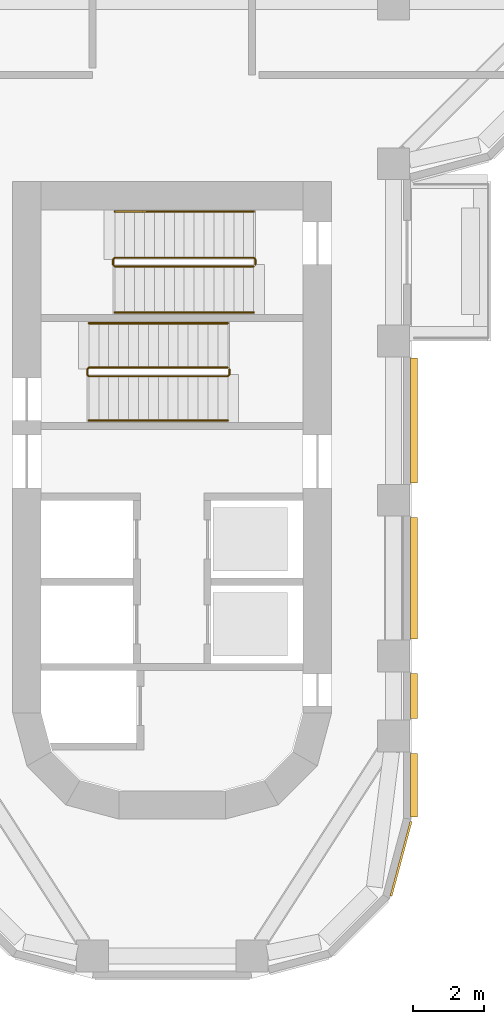
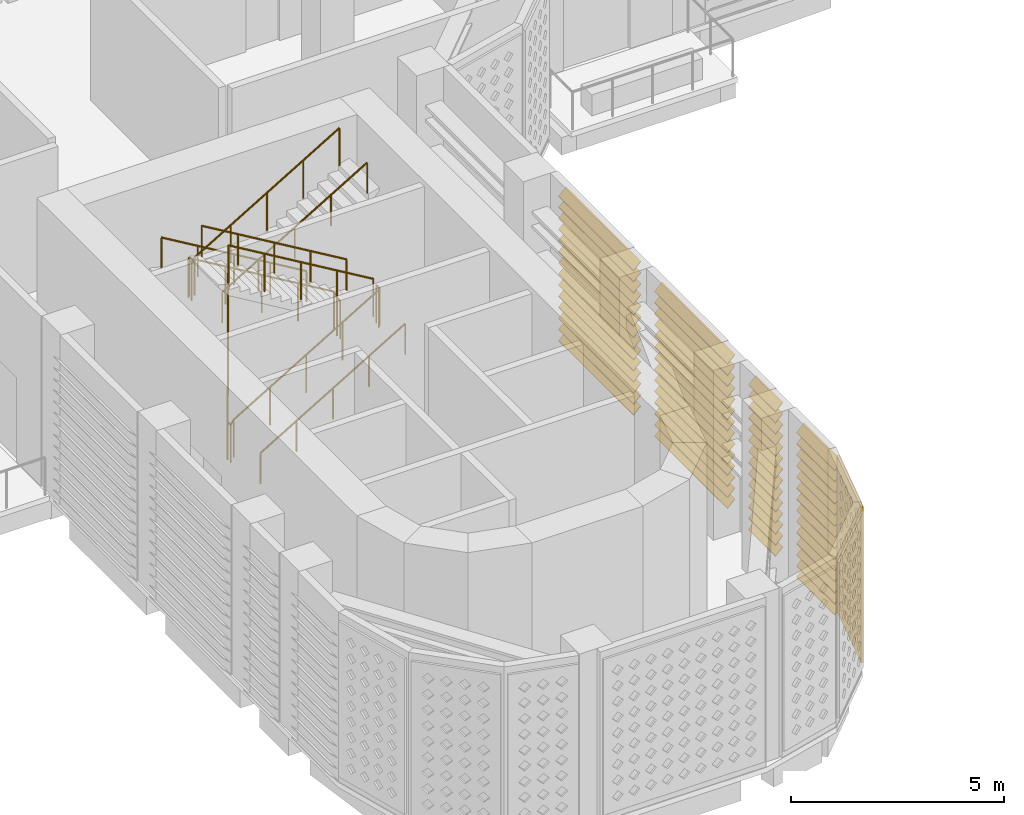
# One storey, part 12 of 20: 6 railings, 4 shading devices, 1 covering.
"""IFC4 building model written with IfcOpenShell, lengths in metres."""

from ifc_helpers import new_model, si_unit, direction, frame, origin, origin_2d, place, context, subcontext, project, spatial, polyline, circle, outline, extrude, source, transform, mapped, material, layer, layer_set, type_object, element, save


model = new_model("IFC4")

# Units and contexts
model_context = context("Model", 3, precision=1e-05, world=origin(), true_north=direction((0.0, 1.0)))
body_context = subcontext(model_context, "Body", "Model", "MODEL_VIEW")
ifc_project = project(units=[si_unit("LENGTHUNIT", "METRE"), si_unit("AREAUNIT", "SQUARE_METRE"), si_unit("VOLUMEUNIT", "CUBIC_METRE"), si_unit("PLANEANGLEUNIT", "RADIAN"), si_unit("MASSUNIT", "GRAM", prefix="KILO")], contexts=[model_context])

# Site, building, storey
site_placement = place(None, origin())
site = spatial("IfcSite", under=ifc_project, at=site_placement, CompositionType="ELEMENT")
building_placement = place(site_placement, origin())
building = spatial("IfcBuilding", under=site, at=building_placement, Name="Zarbagh Exchange Tower", CompositionType="ELEMENT")
storey_placement = place(building_placement, frame((0.0, 0.0, 136.0)))
storey = spatial("IfcBuildingStorey", under=building, at=storey_placement, Name="L32", CompositionType="ELEMENT", Elevation=136.0)

# Railings
ifc_material_1 = material(Name="Stainless steel", Category="steel")
railing_type_1 = type_object("IfcRailingType", Name="Stair guard 1100 mm", PredefinedType="GUARDRAIL", material=ifc_material_1)
railing_1_placement = place(storey_placement, frame((1.570068359375, -16.5, 2.666748046875)))
element("IfcRailing", 1, at=railing_1_placement, inside=storey, type_object=railing_type_1, Name="ST3 stair guard 1", PredefinedType="GUARDRAIL", context=body_context, shape_type="SweptSolid", body=[
    extrude(circle(Radius=0.02392578125, at=origin_2d()), frame((0.0, 0.0, 1.076171875), z_axis=(-0.859310244771, 0.0, 0.511454693235), x_axis=(0.0, -1.0, 0.0)), (0.0, 0.0, 1.0), 4.56201171875),
    extrude(circle(Radius=0.02392578125, at=origin_2d()), frame((-3.920166015625, 0.0, 3.4091796875), z_axis=(-0.009959944465, -0.010008767722, -0.999900307068), x_axis=(1.0, 0.0, 0.0)), (0.0, 0.0, 1.0), 5.00048828125),
    extrude(circle(Radius=0.02392578125, at=origin_2d()), frame((-3.969970703125, -0.050048828125, -1.5908203125), z_axis=(0.0, -1.0, 0.0), x_axis=(1.0, 0.0, 0.0)), (0.0, 0.0, 1.0), 0.14990234375),
    extrude(circle(Radius=0.02392578125, at=origin_2d()), frame((-3.969970703125, -0.199951171875, -1.5908203125), z_axis=(0.275041040955, -0.276389281352, 0.920848191041), x_axis=(0.708833529934, 0.705375805398, 0.0)), (0.0, 0.0, 1.0), 0.18115234375),
    extrude(circle(Radius=0.02392578125, at=origin_2d()), frame((-3.920166015625, -0.25, -1.423828125), z_axis=(0.859310244771, 0.0, 0.511454693235), x_axis=(0.0, 1.0, 0.0)), (0.0, 0.0, 1.0), 4.56201171875),
    extrude(circle(Radius=0.02392578125, at=origin_2d()), frame((0.0, -0.25, 0.9091796875), z_axis=(0.707106781187, 0.707106781187, 0.0), x_axis=(-0.707106781187, 0.707106781187, 0.0)), (0.0, 0.0, 1.0), 0.07080078125),
    extrude(circle(Radius=0.02392578125, at=origin_2d()), frame((0.050048828125, -0.199951171875, 0.9091796875), z_axis=(0.0, 1.0, 0.0), x_axis=(-1.0, 0.0, 0.0)), (0.0, 0.0, 1.0), 0.14990234375),
    extrude(circle(Radius=0.02099609375, at=origin_2d()), origin(), (0.0, 0.0, 1.0), 1.052001953125),
    extrude(circle(Radius=0.02099609375, at=origin_2d()), frame((-0.97998046875, 0.0, 0.583251953125)), (0.0, 0.0, 1.0), 1.052001953125),
    extrude(circle(Radius=0.02099609375, at=origin_2d()), frame((-1.9599609375, 0.0, 1.16650390625)), (0.0, 0.0, 1.0), 1.052001953125),
    extrude(circle(Radius=0.02099609375, at=origin_2d()), frame((-2.940185546875, 0.0, 1.75)), (0.0, 0.0, 1.0), 1.052001953125),
    extrude(circle(Radius=0.02099609375, at=origin_2d()), frame((-3.920166015625, 0.0, 2.333251953125)), (0.0, 0.0, 1.0), 1.052001953125),
    extrude(circle(Radius=0.02099609375, at=origin_2d()), frame((-3.93017578125, -0.010009765625, 1.333251953125)), (0.0, 0.0, 1.0), 1.052001953125),
    extrude(circle(Radius=0.02099609375, at=origin_2d()), frame((-3.940185546875, -0.02001953125, 0.333251953125)), (0.0, 0.0, 1.0), 1.052001953125),
    extrude(circle(Radius=0.02099609375, at=origin_2d()), frame((-3.949951171875, -0.030029296875, -0.666748046875)), (0.0, 0.0, 1.0), 1.052001953125),
    extrude(circle(Radius=0.02099609375, at=origin_2d()), frame((-3.9599609375, -0.0400390625, -1.666748046875)), (0.0, 0.0, 1.0), 1.052001953125),
    extrude(circle(Radius=0.02099609375, at=origin_2d()), frame((-3.969970703125, -0.050048828125, -2.666748046875)), (0.0, 0.0, 1.0), 1.052001953125),
    extrude(circle(Radius=0.02099609375, at=origin_2d()), frame((-3.969970703125, -0.199951171875, -2.666748046875)), (0.0, 0.0, 1.0), 1.052001953125),
    extrude(circle(Radius=0.02099609375, at=origin_2d()), frame((-3.920166015625, -0.25, -2.5)), (0.0, 0.0, 1.0), 1.052001953125),
    extrude(circle(Radius=0.02099609375, at=origin_2d()), frame((-2.940185546875, -0.25, -1.916748046875)), (0.0, 0.0, 1.0), 1.052001953125),
    extrude(circle(Radius=0.02099609375, at=origin_2d()), frame((-1.9599609375, -0.25, -1.33349609375)), (0.0, 0.0, 1.0), 1.052001953125),
    extrude(circle(Radius=0.02099609375, at=origin_2d()), frame((-0.97998046875, -0.25, -0.75)), (0.0, 0.0, 1.0), 1.052001953125),
    extrude(circle(Radius=0.02099609375, at=origin_2d()), frame((0.0, -0.25, -0.166748046875)), (0.0, 0.0, 1.0), 1.052001953125),
    extrude(circle(Radius=0.02099609375, at=origin_2d()), frame((0.050048828125, -0.199951171875, -0.166748046875)), (0.0, 0.0, 1.0), 1.052001953125),
    extrude(circle(Radius=0.02099609375, at=origin_2d()), frame((0.050048828125, -0.050048828125, -0.166748046875)), (0.0, 0.0, 1.0), 1.052001953125),
])
railing_2_placement = place(storey_placement, frame((2.35009765625, -13.60009765625, 0.0)))
element("IfcRailing", 2, at=railing_2_placement, inside=storey, type_object=railing_type_1, Name="ST4 stair guard 1", PredefinedType="GUARDRAIL", context=body_context, shape_type="SweptSolid", body=[
    extrude(circle(Radius=0.02392578125, at=origin_2d()), frame((0.0, 0.0, 1.076171875), z_axis=(0.0, 1.0, 0.0), x_axis=(-1.0, 0.0, 0.0)), (0.0, 0.0, 1.0), 0.150146484375),
    extrude(circle(Radius=0.02392578125, at=origin_2d()), frame((0.0, 0.150146484375, 1.076171875), z_axis=(-0.27628659633, 0.27628659633, 0.920506074601), x_axis=(-0.707106781187, -0.707106781187, 0.0)), (0.0, 0.0, 1.0), 0.18115234375),
    extrude(circle(Radius=0.02392578125, at=origin_2d()), frame((-0.050048828125, 0.2001953125, 1.24267578125), z_axis=(-0.859310244771, 0.0, 0.511454693235), x_axis=(0.0, -1.0, 0.0)), (0.0, 0.0, 1.0), 4.56201171875),
    extrude(circle(Radius=0.02392578125, at=origin_2d()), frame((-3.97021484375, 0.2001953125, 3.576171875), z_axis=(-0.705375805398, -0.708833529934, 0.0), x_axis=(0.708833529934, -0.705375805398, 0.0)), (0.0, 0.0, 1.0), 0.070556640625),
    extrude(circle(Radius=0.02392578125, at=origin_2d()), frame((-4.02001953125, 0.150146484375, 3.576171875), z_axis=(0.0, -1.0, 0.0), x_axis=(1.0, 0.0, 0.0)), (0.0, 0.0, 1.0), 0.150146484375),
    extrude(circle(Radius=0.02392578125, at=origin_2d()), frame((-4.02001953125, 0.0, 3.576171875), z_axis=(0.275143339093, -0.275143339093, 0.92119068922), x_axis=(0.707106781187, 0.707106781187, 0.0)), (0.0, 0.0, 1.0), 0.180908203125),
    extrude(circle(Radius=0.02392578125, at=origin_2d()), frame((-3.97021484375, -0.0498046875, 3.74267578125), z_axis=(0.859310244771, 0.0, 0.511454693235), x_axis=(0.0, 1.0, 0.0)), (0.0, 0.0, 1.0), 4.56201171875),
    extrude(circle(Radius=0.02099609375, at=origin_2d()), origin(), (0.0, 0.0, 1.0), 1.052001953125),
    extrude(circle(Radius=0.02099609375, at=origin_2d()), frame((0.0, 0.150146484375, 0.0)), (0.0, 0.0, 1.0), 1.052001953125),
    extrude(circle(Radius=0.02099609375, at=origin_2d()), frame((-0.050048828125, 0.2001953125, 0.166748046875)), (0.0, 0.0, 1.0), 1.052001953125),
    extrude(circle(Radius=0.02099609375, at=origin_2d()), frame((-1.030029296875, 0.2001953125, 0.75)), (0.0, 0.0, 1.0), 1.052001953125),
    extrude(circle(Radius=0.02099609375, at=origin_2d()), frame((-2.01025390625, 0.2001953125, 1.33349609375)), (0.0, 0.0, 1.0), 1.052001953125),
    extrude(circle(Radius=0.02099609375, at=origin_2d()), frame((-2.990234375, 0.2001953125, 1.916748046875)), (0.0, 0.0, 1.0), 1.052001953125),
    extrude(circle(Radius=0.02099609375, at=origin_2d()), frame((-3.97021484375, 0.2001953125, 2.5)), (0.0, 0.0, 1.0), 1.052001953125),
    extrude(circle(Radius=0.02099609375, at=origin_2d()), frame((-4.02001953125, 0.150146484375, 2.5)), (0.0, 0.0, 1.0), 1.052001953125),
    extrude(circle(Radius=0.02099609375, at=origin_2d()), frame((-4.02001953125, 0.0, 2.5)), (0.0, 0.0, 1.0), 1.052001953125),
    extrude(circle(Radius=0.02099609375, at=origin_2d()), frame((-3.97021484375, -0.0498046875, 2.666748046875)), (0.0, 0.0, 1.0), 1.052001953125),
    extrude(circle(Radius=0.02099609375, at=origin_2d()), frame((-2.990234375, -0.0498046875, 3.25)), (0.0, 0.0, 1.0), 1.052001953125),
    extrude(circle(Radius=0.02099609375, at=origin_2d()), frame((-2.01025390625, -0.0498046875, 3.83349609375)), (0.0, 0.0, 1.0), 1.052001953125),
    extrude(circle(Radius=0.02099609375, at=origin_2d()), frame((-1.030029296875, -0.0498046875, 4.416748046875)), (0.0, 0.0, 1.0), 1.052001953125),
    extrude(circle(Radius=0.02099609375, at=origin_2d()), frame((-0.050048828125, -0.0498046875, 5.0)), (0.0, 0.0, 1.0), 1.052001953125),
])
railing_type_2 = type_object("IfcRailingType", Name="Stair handrail 900 mm", PredefinedType="HANDRAIL", material=ifc_material_1)
railing_3_placement = place(storey_placement, frame((-2.35009765625, -18.0, 0.166748046875)))
element("IfcRailing", 3, at=railing_3_placement, inside=storey, type_object=railing_type_2, Name="ST3 stair handrail 1", PredefinedType="HANDRAIL", context=body_context, shape_type="SweptSolid", body=[
    extrude(circle(Radius=0.02392578125, at=origin_2d()), frame((0.0, 0.0, 0.8759765625), z_axis=(0.859310244771, 0.0, 0.511454693235), x_axis=(0.0, 1.0, 0.0)), (0.0, 0.0, 1.0), 4.56201171875),
    extrude(circle(Radius=0.02099609375, at=origin_2d()), origin(), (0.0, 0.0, 1.0), 0.851806640625),
    extrude(circle(Radius=0.02099609375, at=origin_2d()), frame((0.97998046875, 0.0, 0.583251953125)), (0.0, 0.0, 1.0), 0.851806640625),
    extrude(circle(Radius=0.02099609375, at=origin_2d()), frame((1.9599609375, 0.0, 1.16650390625)), (0.0, 0.0, 1.0), 0.851806640625),
    extrude(circle(Radius=0.02099609375, at=origin_2d()), frame((2.940185546875, 0.0, 1.75)), (0.0, 0.0, 1.0), 0.851806640625),
    extrude(circle(Radius=0.02099609375, at=origin_2d()), frame((3.920166015625, 0.0, 2.333251953125)), (0.0, 0.0, 1.0), 0.851806640625),
])
for number, where, name in (
    (4, (1.570068359375, -15.25, 2.666748046875), "ST3 stair handrail 2"),
    (5, (2.300048828125, -12.10009765625, 0.166748046875), "ST4 stair handrail 1"),
):
    element("IfcRailing", number, at=place(storey_placement, frame(where)), inside=storey, type_object=railing_type_2, Name=name, PredefinedType="HANDRAIL", context=body_context, shape_type="SweptSolid", body=[
        extrude(circle(Radius=0.02392578125, at=origin_2d()), frame((0.0, 0.0, 0.8759765625), z_axis=(-0.859310244771, 0.0, 0.511454693235), x_axis=(0.0, -1.0, 0.0)), (0.0, 0.0, 1.0), 4.56201171875),
        extrude(circle(Radius=0.02099609375, at=origin_2d()), origin(), (0.0, 0.0, 1.0), 0.851806640625),
        extrude(circle(Radius=0.02099609375, at=origin_2d()), frame((-0.97998046875, 0.0, 0.583251953125)), (0.0, 0.0, 1.0), 0.851806640625),
        extrude(circle(Radius=0.02099609375, at=origin_2d()), frame((-1.9599609375, 0.0, 1.16650390625)), (0.0, 0.0, 1.0), 0.851806640625),
        extrude(circle(Radius=0.02099609375, at=origin_2d()), frame((-2.940185546875, 0.0, 1.75)), (0.0, 0.0, 1.0), 0.851806640625),
        extrude(circle(Radius=0.02099609375, at=origin_2d()), frame((-3.920166015625, 0.0, 2.333251953125)), (0.0, 0.0, 1.0), 0.851806640625),
    ])
railing_4_placement = place(storey_placement, frame((-1.6201171875, -14.949951171875, 2.666748046875)))
element("IfcRailing", 6, at=railing_4_placement, inside=storey, type_object=railing_type_2, Name="ST4 stair handrail 2", PredefinedType="HANDRAIL", context=body_context, shape_type="SweptSolid", body=[
    extrude(circle(Radius=0.02392578125, at=origin_2d()), frame((0.0, 0.0, 0.8759765625), z_axis=(0.859310244771, 0.0, 0.511454693235), x_axis=(0.0, 1.0, 0.0)), (0.0, 0.0, 1.0), 4.56201171875),
    extrude(circle(Radius=0.02099609375, at=origin_2d()), origin(), (0.0, 0.0, 1.0), 0.851806640625),
    extrude(circle(Radius=0.02099609375, at=origin_2d()), frame((0.97998046875, 0.0, 0.583251953125)), (0.0, 0.0, 1.0), 0.851806640625),
    extrude(circle(Radius=0.02099609375, at=origin_2d()), frame((1.9599609375, 0.0, 1.16650390625)), (0.0, 0.0, 1.0), 0.851806640625),
    extrude(circle(Radius=0.02099609375, at=origin_2d()), frame((2.940185546875, 0.0, 1.75)), (0.0, 0.0, 1.0), 0.851806640625),
    extrude(circle(Radius=0.02099609375, at=origin_2d()), frame((3.920166015625, 0.0, 2.333251953125)), (0.0, 0.0, 1.0), 0.851806640625),
])

# Covering
ifc_material_2 = material(Name="Glass-fibre reinforced concrete GFRC C50/60", Category="concrete")
ifc_layer = layer(ifc_material_2, 0.06005859375)
ifc_layer_set = layer_set([ifc_layer], Name="SCREEN jali panel, GFRC")
covering_type = type_object("IfcCoveringType", Name="SCREEN jali panel, GFRC", PredefinedType="CLADDING", material=ifc_layer_set)
shared_shape_1 = source(origin(), body_context, "Body", "SweptSolid", [
    extrude(outline(polyline([(0.0, 0.0), (2.181396484375, 0.0), (2.181396484375, 4.449951171875), (0.0, 4.449951171875), (0.0, 0.0)]), holes=[polyline([(0.265625, 0.425048828125), (0.415771484375, 0.27490234375), (0.565673828125, 0.425048828125), (0.415771484375, 0.574951171875), (0.265625, 0.425048828125)]), polyline([(0.265625, 0.875), (0.415771484375, 0.72509765625), (0.565673828125, 0.875), (0.415771484375, 1.02490234375), (0.265625, 0.875)]), polyline([(0.265625, 1.324951171875), (0.415771484375, 1.175048828125), (0.565673828125, 1.324951171875), (0.415771484375, 1.47509765625), (0.265625, 1.324951171875)]), polyline([(0.265625, 1.77490234375), (0.415771484375, 1.625), (0.565673828125, 1.77490234375), (0.415771484375, 1.925048828125), (0.265625, 1.77490234375)]), polyline([(0.265625, 2.22509765625), (0.415771484375, 2.074951171875), (0.565673828125, 2.22509765625), (0.415771484375, 2.375), (0.265625, 2.22509765625)]), polyline([(0.265625, 2.675048828125), (0.415771484375, 2.52490234375), (0.565673828125, 2.675048828125), (0.415771484375, 2.824951171875), (0.265625, 2.675048828125)]), polyline([(0.265625, 3.125), (0.415771484375, 2.97509765625), (0.565673828125, 3.125), (0.415771484375, 3.27490234375), (0.265625, 3.125)]), polyline([(0.265625, 3.574951171875), (0.415771484375, 3.425048828125), (0.565673828125, 3.574951171875), (0.415771484375, 3.72509765625), (0.265625, 3.574951171875)]), polyline([(0.265625, 4.02490234375), (0.415771484375, 3.875), (0.565673828125, 4.02490234375), (0.415771484375, 4.175048828125), (0.265625, 4.02490234375)]), polyline([(0.7158203125, 0.425048828125), (0.86572265625, 0.27490234375), (1.015625, 0.425048828125), (0.86572265625, 0.574951171875), (0.7158203125, 0.425048828125)]), polyline([(0.7158203125, 0.875), (0.86572265625, 0.72509765625), (1.015625, 0.875), (0.86572265625, 1.02490234375), (0.7158203125, 0.875)]), polyline([(0.7158203125, 1.324951171875), (0.86572265625, 1.175048828125), (1.015625, 1.324951171875), (0.86572265625, 1.47509765625), (0.7158203125, 1.324951171875)]), polyline([(0.7158203125, 1.77490234375), (0.86572265625, 1.625), (1.015625, 1.77490234375), (0.86572265625, 1.925048828125), (0.7158203125, 1.77490234375)]), polyline([(0.7158203125, 2.22509765625), (0.86572265625, 2.074951171875), (1.015625, 2.22509765625), (0.86572265625, 2.375), (0.7158203125, 2.22509765625)]), polyline([(0.7158203125, 2.675048828125), (0.86572265625, 2.52490234375), (1.015625, 2.675048828125), (0.86572265625, 2.824951171875), (0.7158203125, 2.675048828125)]), polyline([(0.7158203125, 3.125), (0.86572265625, 2.97509765625), (1.015625, 3.125), (0.86572265625, 3.27490234375), (0.7158203125, 3.125)]), polyline([(0.7158203125, 3.574951171875), (0.86572265625, 3.425048828125), (1.015625, 3.574951171875), (0.86572265625, 3.72509765625), (0.7158203125, 3.574951171875)]), polyline([(0.7158203125, 4.02490234375), (0.86572265625, 3.875), (1.015625, 4.02490234375), (0.86572265625, 4.175048828125), (0.7158203125, 4.02490234375)]), polyline([(1.165771484375, 0.425048828125), (1.315673828125, 0.27490234375), (1.4658203125, 0.425048828125), (1.315673828125, 0.574951171875), (1.165771484375, 0.425048828125)]), polyline([(1.165771484375, 0.875), (1.315673828125, 0.72509765625), (1.4658203125, 0.875), (1.315673828125, 1.02490234375), (1.165771484375, 0.875)]), polyline([(1.165771484375, 1.324951171875), (1.315673828125, 1.175048828125), (1.4658203125, 1.324951171875), (1.315673828125, 1.47509765625), (1.165771484375, 1.324951171875)]), polyline([(1.165771484375, 1.77490234375), (1.315673828125, 1.625), (1.4658203125, 1.77490234375), (1.315673828125, 1.925048828125), (1.165771484375, 1.77490234375)]), polyline([(1.165771484375, 2.22509765625), (1.315673828125, 2.074951171875), (1.4658203125, 2.22509765625), (1.315673828125, 2.375), (1.165771484375, 2.22509765625)]), polyline([(1.165771484375, 2.675048828125), (1.315673828125, 2.52490234375), (1.4658203125, 2.675048828125), (1.315673828125, 2.824951171875), (1.165771484375, 2.675048828125)]), polyline([(1.165771484375, 3.125), (1.315673828125, 2.97509765625), (1.4658203125, 3.125), (1.315673828125, 3.27490234375), (1.165771484375, 3.125)]), polyline([(1.165771484375, 3.574951171875), (1.315673828125, 3.425048828125), (1.4658203125, 3.574951171875), (1.315673828125, 3.72509765625), (1.165771484375, 3.574951171875)]), polyline([(1.165771484375, 4.02490234375), (1.315673828125, 3.875), (1.4658203125, 4.02490234375), (1.315673828125, 4.175048828125), (1.165771484375, 4.02490234375)]), polyline([(1.61572265625, 0.425048828125), (1.765625, 0.27490234375), (1.915771484375, 0.425048828125), (1.765625, 0.574951171875), (1.61572265625, 0.425048828125)]), polyline([(1.61572265625, 0.875), (1.765625, 0.72509765625), (1.915771484375, 0.875), (1.765625, 1.02490234375), (1.61572265625, 0.875)]), polyline([(1.61572265625, 1.324951171875), (1.765625, 1.175048828125), (1.915771484375, 1.324951171875), (1.765625, 1.47509765625), (1.61572265625, 1.324951171875)]), polyline([(1.61572265625, 1.77490234375), (1.765625, 1.625), (1.915771484375, 1.77490234375), (1.765625, 1.925048828125), (1.61572265625, 1.77490234375)]), polyline([(1.61572265625, 2.22509765625), (1.765625, 2.074951171875), (1.915771484375, 2.22509765625), (1.765625, 2.375), (1.61572265625, 2.22509765625)]), polyline([(1.61572265625, 2.675048828125), (1.765625, 2.52490234375), (1.915771484375, 2.675048828125), (1.765625, 2.824951171875), (1.61572265625, 2.675048828125)]), polyline([(1.61572265625, 3.125), (1.765625, 2.97509765625), (1.915771484375, 3.125), (1.765625, 3.27490234375), (1.61572265625, 3.125)]), polyline([(1.61572265625, 3.574951171875), (1.765625, 3.425048828125), (1.915771484375, 3.574951171875), (1.765625, 3.72509765625), (1.61572265625, 3.574951171875)]), polyline([(1.61572265625, 4.02490234375), (1.765625, 3.875), (1.915771484375, 4.02490234375), (1.765625, 4.175048828125), (1.61572265625, 4.02490234375)])]), origin(), (0.0, 0.0, 1.0), 0.06005859375),
])
placement = place(storey_placement, origin())
element("IfcCovering", 7, at=placement, inside=storey, type_object=covering_type, Name="JS03 jali screen", PredefinedType="CLADDING", context=body_context, shape_type="MappedRepresentation", body=[
    mapped(shared_shape_1, transform((6.14892578125, -31.41552734375, 0.199951171875), x_axis=(0.258825057666, 0.965924215207, 0.0), y_axis=(0.0, 0.0, 1.0), z_axis=(0.965924215207, -0.258825057666, 0.0))),
])

# Shading devices
ifc_material_3 = material(Name="Anodised aluminium", Category="aluminium")
shading_device_type = type_object("IfcShadingDeviceType", Name="LOUVRE plant louvre, fixed blades", PredefinedType="USERDEFINED", material=ifc_material_3)
shared_shape_2 = source(origin(), body_context, "Body", "SweptSolid", [
    extrude(outline(polyline([(0.0, 0.199951171875), (0.199951171875, 0.0), (0.199951171875, -0.02001953125), (0.0, 0.179931640625), (0.0, 0.199951171875)])), origin(), (0.0, 0.0, 1.0), 3.419921875),
])
element("IfcShadingDevice", 8, at=placement, inside=storey, type_object=shading_device_type, Name="LV01 plant louvre", ObjectType="LOUVRE", PredefinedType="USERDEFINED", context=body_context, shape_type="MappedRepresentation", body=[
    mapped(shared_shape_2, transform((6.72998046875, -24.159912109375, 0.199951171875), x_axis=(1.0, 0.0, 0.0), y_axis=(0.0, 0.0, -1.0), z_axis=(0.0, 1.0, 0.0))),
    mapped(shared_shape_2, transform((6.72998046875, -24.159912109375, 0.517822265625), x_axis=(1.0, 0.0, 0.0), y_axis=(0.0, 0.0, -1.0), z_axis=(0.0, 1.0, 0.0))),
    mapped(shared_shape_2, transform((6.72998046875, -24.159912109375, 0.835693359375), x_axis=(1.0, 0.0, 0.0), y_axis=(0.0, 0.0, -1.0), z_axis=(0.0, 1.0, 0.0))),
    mapped(shared_shape_2, transform((6.72998046875, -24.159912109375, 1.153564453125), x_axis=(1.0, 0.0, 0.0), y_axis=(0.0, 0.0, -1.0), z_axis=(0.0, 1.0, 0.0))),
    mapped(shared_shape_2, transform((6.72998046875, -24.159912109375, 1.471435546875), x_axis=(1.0, 0.0, 0.0), y_axis=(0.0, 0.0, -1.0), z_axis=(0.0, 1.0, 0.0))),
    mapped(shared_shape_2, transform((6.72998046875, -24.159912109375, 1.789306640625), x_axis=(1.0, 0.0, 0.0), y_axis=(0.0, 0.0, -1.0), z_axis=(0.0, 1.0, 0.0))),
    mapped(shared_shape_2, transform((6.72998046875, -24.159912109375, 2.107177734375), x_axis=(1.0, 0.0, 0.0), y_axis=(0.0, 0.0, -1.0), z_axis=(0.0, 1.0, 0.0))),
    mapped(shared_shape_2, transform((6.72998046875, -24.159912109375, 2.425048828125), x_axis=(1.0, 0.0, 0.0), y_axis=(0.0, 0.0, -1.0), z_axis=(0.0, 1.0, 0.0))),
    mapped(shared_shape_2, transform((6.72998046875, -24.159912109375, 2.742919921875), x_axis=(1.0, 0.0, 0.0), y_axis=(0.0, 0.0, -1.0), z_axis=(0.0, 1.0, 0.0))),
    mapped(shared_shape_2, transform((6.72998046875, -24.159912109375, 3.060791015625), x_axis=(1.0, 0.0, 0.0), y_axis=(0.0, 0.0, -1.0), z_axis=(0.0, 1.0, 0.0))),
    mapped(shared_shape_2, transform((6.72998046875, -24.159912109375, 3.378662109375), x_axis=(1.0, 0.0, 0.0), y_axis=(0.0, 0.0, -1.0), z_axis=(0.0, 1.0, 0.0))),
    mapped(shared_shape_2, transform((6.72998046875, -24.159912109375, 3.696533203125), x_axis=(1.0, 0.0, 0.0), y_axis=(0.0, 0.0, -1.0), z_axis=(0.0, 1.0, 0.0))),
    mapped(shared_shape_2, transform((6.72998046875, -24.159912109375, 4.014404296875), x_axis=(1.0, 0.0, 0.0), y_axis=(0.0, 0.0, -1.0), z_axis=(0.0, 1.0, 0.0))),
    mapped(shared_shape_2, transform((6.72998046875, -24.159912109375, 4.33203125), x_axis=(1.0, 0.0, 0.0), y_axis=(0.0, 0.0, -1.0), z_axis=(0.0, 1.0, 0.0))),
])
shared_shape_3 = source(origin(), body_context, "Body", "SweptSolid", [
    extrude(outline(polyline([(0.0, 0.199951171875), (0.199951171875, 0.0), (0.199951171875, -0.02001953125), (0.0, 0.179931640625), (0.0, 0.199951171875)])), origin(), (0.0, 0.0, 1.0), 1.794189453125),
])
element("IfcShadingDevice", 9, at=placement, inside=storey, type_object=shading_device_type, Name="LV01 plant louvre", ObjectType="LOUVRE", PredefinedType="USERDEFINED", context=body_context, shape_type="MappedRepresentation", body=[
    mapped(shared_shape_3, transform((6.72998046875, -29.18408203125, 0.199951171875), x_axis=(1.0, 0.0, 0.0), y_axis=(0.0, 0.0, -1.0), z_axis=(0.0, 1.0, 0.0))),
    mapped(shared_shape_3, transform((6.72998046875, -29.18408203125, 0.517822265625), x_axis=(1.0, 0.0, 0.0), y_axis=(0.0, 0.0, -1.0), z_axis=(0.0, 1.0, 0.0))),
    mapped(shared_shape_3, transform((6.72998046875, -29.18408203125, 0.835693359375), x_axis=(1.0, 0.0, 0.0), y_axis=(0.0, 0.0, -1.0), z_axis=(0.0, 1.0, 0.0))),
    mapped(shared_shape_3, transform((6.72998046875, -29.18408203125, 1.153564453125), x_axis=(1.0, 0.0, 0.0), y_axis=(0.0, 0.0, -1.0), z_axis=(0.0, 1.0, 0.0))),
    mapped(shared_shape_3, transform((6.72998046875, -29.18408203125, 1.471435546875), x_axis=(1.0, 0.0, 0.0), y_axis=(0.0, 0.0, -1.0), z_axis=(0.0, 1.0, 0.0))),
    mapped(shared_shape_3, transform((6.72998046875, -29.18408203125, 1.789306640625), x_axis=(1.0, 0.0, 0.0), y_axis=(0.0, 0.0, -1.0), z_axis=(0.0, 1.0, 0.0))),
    mapped(shared_shape_3, transform((6.72998046875, -29.18408203125, 2.107177734375), x_axis=(1.0, 0.0, 0.0), y_axis=(0.0, 0.0, -1.0), z_axis=(0.0, 1.0, 0.0))),
    mapped(shared_shape_3, transform((6.72998046875, -29.18408203125, 2.425048828125), x_axis=(1.0, 0.0, 0.0), y_axis=(0.0, 0.0, -1.0), z_axis=(0.0, 1.0, 0.0))),
    mapped(shared_shape_3, transform((6.72998046875, -29.18408203125, 2.742919921875), x_axis=(1.0, 0.0, 0.0), y_axis=(0.0, 0.0, -1.0), z_axis=(0.0, 1.0, 0.0))),
    mapped(shared_shape_3, transform((6.72998046875, -29.18408203125, 3.060791015625), x_axis=(1.0, 0.0, 0.0), y_axis=(0.0, 0.0, -1.0), z_axis=(0.0, 1.0, 0.0))),
    mapped(shared_shape_3, transform((6.72998046875, -29.18408203125, 3.378662109375), x_axis=(1.0, 0.0, 0.0), y_axis=(0.0, 0.0, -1.0), z_axis=(0.0, 1.0, 0.0))),
    mapped(shared_shape_3, transform((6.72998046875, -29.18408203125, 3.696533203125), x_axis=(1.0, 0.0, 0.0), y_axis=(0.0, 0.0, -1.0), z_axis=(0.0, 1.0, 0.0))),
    mapped(shared_shape_3, transform((6.72998046875, -29.18408203125, 4.014404296875), x_axis=(1.0, 0.0, 0.0), y_axis=(0.0, 0.0, -1.0), z_axis=(0.0, 1.0, 0.0))),
    mapped(shared_shape_3, transform((6.72998046875, -29.18408203125, 4.33203125), x_axis=(1.0, 0.0, 0.0), y_axis=(0.0, 0.0, -1.0), z_axis=(0.0, 1.0, 0.0))),
])
shared_shape_4 = source(origin(), body_context, "Body", "SweptSolid", [
    extrude(outline(polyline([(0.0, 0.199951171875), (0.199951171875, 0.0), (0.199951171875, -0.02001953125), (0.0, 0.179931640625), (0.0, 0.199951171875)])), origin(), (0.0, 0.0, 1.0), 1.27001953125),
])
element("IfcShadingDevice", 10, at=placement, inside=storey, type_object=shading_device_type, Name="LV01 plant louvre", ObjectType="LOUVRE", PredefinedType="USERDEFINED", context=body_context, shape_type="MappedRepresentation", body=[
    mapped(shared_shape_4, transform((6.72998046875, -26.409912109375, 0.199951171875), x_axis=(1.0, 0.0, 0.0), y_axis=(0.0, 0.0, -1.0), z_axis=(0.0, 1.0, 0.0))),
    mapped(shared_shape_4, transform((6.72998046875, -26.409912109375, 0.517822265625), x_axis=(1.0, 0.0, 0.0), y_axis=(0.0, 0.0, -1.0), z_axis=(0.0, 1.0, 0.0))),
    mapped(shared_shape_4, transform((6.72998046875, -26.409912109375, 0.835693359375), x_axis=(1.0, 0.0, 0.0), y_axis=(0.0, 0.0, -1.0), z_axis=(0.0, 1.0, 0.0))),
    mapped(shared_shape_4, transform((6.72998046875, -26.409912109375, 1.153564453125), x_axis=(1.0, 0.0, 0.0), y_axis=(0.0, 0.0, -1.0), z_axis=(0.0, 1.0, 0.0))),
    mapped(shared_shape_4, transform((6.72998046875, -26.409912109375, 1.471435546875), x_axis=(1.0, 0.0, 0.0), y_axis=(0.0, 0.0, -1.0), z_axis=(0.0, 1.0, 0.0))),
    mapped(shared_shape_4, transform((6.72998046875, -26.409912109375, 1.789306640625), x_axis=(1.0, 0.0, 0.0), y_axis=(0.0, 0.0, -1.0), z_axis=(0.0, 1.0, 0.0))),
    mapped(shared_shape_4, transform((6.72998046875, -26.409912109375, 2.107177734375), x_axis=(1.0, 0.0, 0.0), y_axis=(0.0, 0.0, -1.0), z_axis=(0.0, 1.0, 0.0))),
    mapped(shared_shape_4, transform((6.72998046875, -26.409912109375, 2.425048828125), x_axis=(1.0, 0.0, 0.0), y_axis=(0.0, 0.0, -1.0), z_axis=(0.0, 1.0, 0.0))),
    mapped(shared_shape_4, transform((6.72998046875, -26.409912109375, 2.742919921875), x_axis=(1.0, 0.0, 0.0), y_axis=(0.0, 0.0, -1.0), z_axis=(0.0, 1.0, 0.0))),
    mapped(shared_shape_4, transform((6.72998046875, -26.409912109375, 3.060791015625), x_axis=(1.0, 0.0, 0.0), y_axis=(0.0, 0.0, -1.0), z_axis=(0.0, 1.0, 0.0))),
    mapped(shared_shape_4, transform((6.72998046875, -26.409912109375, 3.378662109375), x_axis=(1.0, 0.0, 0.0), y_axis=(0.0, 0.0, -1.0), z_axis=(0.0, 1.0, 0.0))),
    mapped(shared_shape_4, transform((6.72998046875, -26.409912109375, 3.696533203125), x_axis=(1.0, 0.0, 0.0), y_axis=(0.0, 0.0, -1.0), z_axis=(0.0, 1.0, 0.0))),
    mapped(shared_shape_4, transform((6.72998046875, -26.409912109375, 4.014404296875), x_axis=(1.0, 0.0, 0.0), y_axis=(0.0, 0.0, -1.0), z_axis=(0.0, 1.0, 0.0))),
    mapped(shared_shape_4, transform((6.72998046875, -26.409912109375, 4.33203125), x_axis=(1.0, 0.0, 0.0), y_axis=(0.0, 0.0, -1.0), z_axis=(0.0, 1.0, 0.0))),
])
shared_shape_5 = source(origin(), body_context, "Body", "SweptSolid", [
    extrude(outline(polyline([(0.0, 0.199951171875), (0.199951171875, 0.0), (0.199951171875, -0.02001953125), (0.0, 0.179931640625), (0.0, 0.199951171875)])), origin(), (0.0, 0.0, 1.0), 3.52001953125),
])
element("IfcShadingDevice", 11, at=placement, inside=storey, type_object=shading_device_type, Name="LV01 plant louvre", ObjectType="LOUVRE", PredefinedType="USERDEFINED", context=body_context, shape_type="MappedRepresentation", body=[
    mapped(shared_shape_5, transform((6.72998046875, -19.760009765625, 0.199951171875), x_axis=(1.0, 0.0, 0.0), y_axis=(0.0, 0.0, -1.0), z_axis=(0.0, 1.0, 0.0))),
    mapped(shared_shape_5, transform((6.72998046875, -19.760009765625, 0.517822265625), x_axis=(1.0, 0.0, 0.0), y_axis=(0.0, 0.0, -1.0), z_axis=(0.0, 1.0, 0.0))),
    mapped(shared_shape_5, transform((6.72998046875, -19.760009765625, 0.835693359375), x_axis=(1.0, 0.0, 0.0), y_axis=(0.0, 0.0, -1.0), z_axis=(0.0, 1.0, 0.0))),
    mapped(shared_shape_5, transform((6.72998046875, -19.760009765625, 1.153564453125), x_axis=(1.0, 0.0, 0.0), y_axis=(0.0, 0.0, -1.0), z_axis=(0.0, 1.0, 0.0))),
    mapped(shared_shape_5, transform((6.72998046875, -19.760009765625, 1.471435546875), x_axis=(1.0, 0.0, 0.0), y_axis=(0.0, 0.0, -1.0), z_axis=(0.0, 1.0, 0.0))),
    mapped(shared_shape_5, transform((6.72998046875, -19.760009765625, 1.789306640625), x_axis=(1.0, 0.0, 0.0), y_axis=(0.0, 0.0, -1.0), z_axis=(0.0, 1.0, 0.0))),
    mapped(shared_shape_5, transform((6.72998046875, -19.760009765625, 2.107177734375), x_axis=(1.0, 0.0, 0.0), y_axis=(0.0, 0.0, -1.0), z_axis=(0.0, 1.0, 0.0))),
    mapped(shared_shape_5, transform((6.72998046875, -19.760009765625, 2.425048828125), x_axis=(1.0, 0.0, 0.0), y_axis=(0.0, 0.0, -1.0), z_axis=(0.0, 1.0, 0.0))),
    mapped(shared_shape_5, transform((6.72998046875, -19.760009765625, 2.742919921875), x_axis=(1.0, 0.0, 0.0), y_axis=(0.0, 0.0, -1.0), z_axis=(0.0, 1.0, 0.0))),
    mapped(shared_shape_5, transform((6.72998046875, -19.760009765625, 3.060791015625), x_axis=(1.0, 0.0, 0.0), y_axis=(0.0, 0.0, -1.0), z_axis=(0.0, 1.0, 0.0))),
    mapped(shared_shape_5, transform((6.72998046875, -19.760009765625, 3.378662109375), x_axis=(1.0, 0.0, 0.0), y_axis=(0.0, 0.0, -1.0), z_axis=(0.0, 1.0, 0.0))),
    mapped(shared_shape_5, transform((6.72998046875, -19.760009765625, 3.696533203125), x_axis=(1.0, 0.0, 0.0), y_axis=(0.0, 0.0, -1.0), z_axis=(0.0, 1.0, 0.0))),
    mapped(shared_shape_5, transform((6.72998046875, -19.760009765625, 4.014404296875), x_axis=(1.0, 0.0, 0.0), y_axis=(0.0, 0.0, -1.0), z_axis=(0.0, 1.0, 0.0))),
    mapped(shared_shape_5, transform((6.72998046875, -19.760009765625, 4.33203125), x_axis=(1.0, 0.0, 0.0), y_axis=(0.0, 0.0, -1.0), z_axis=(0.0, 1.0, 0.0))),
])

save(model, "model.ifc")
